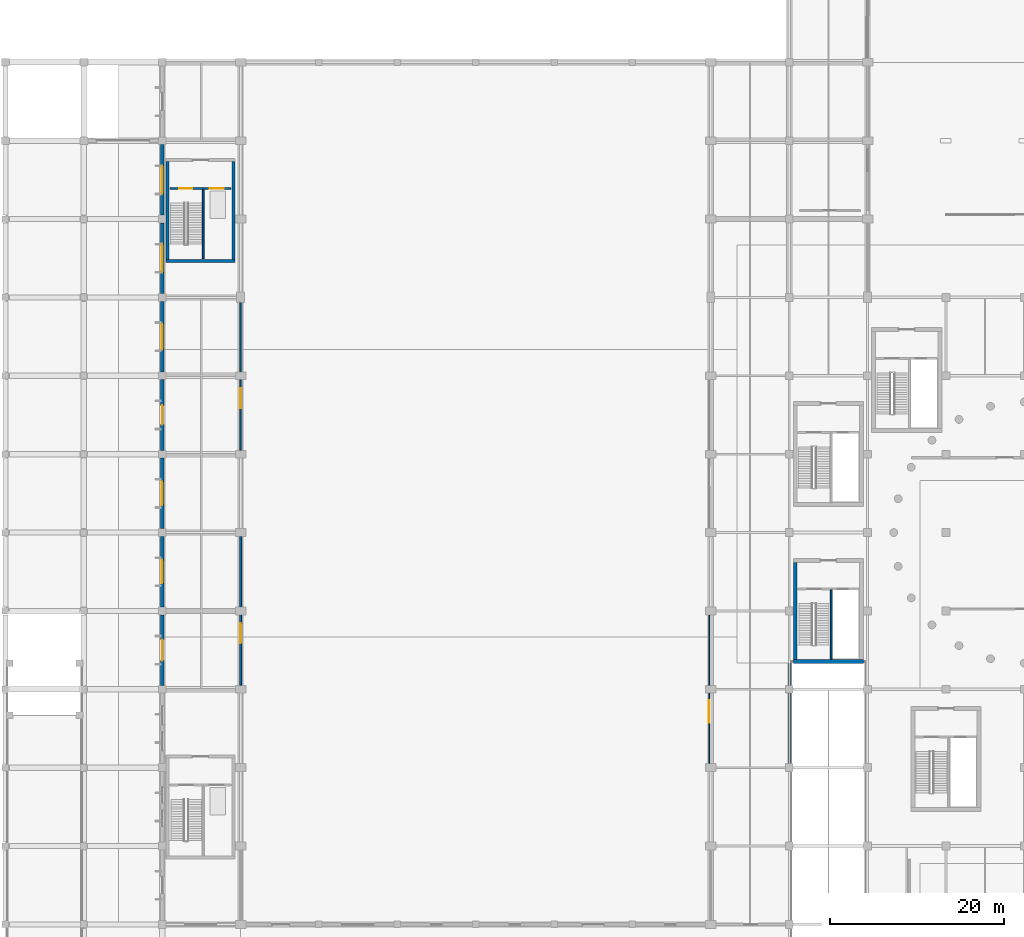
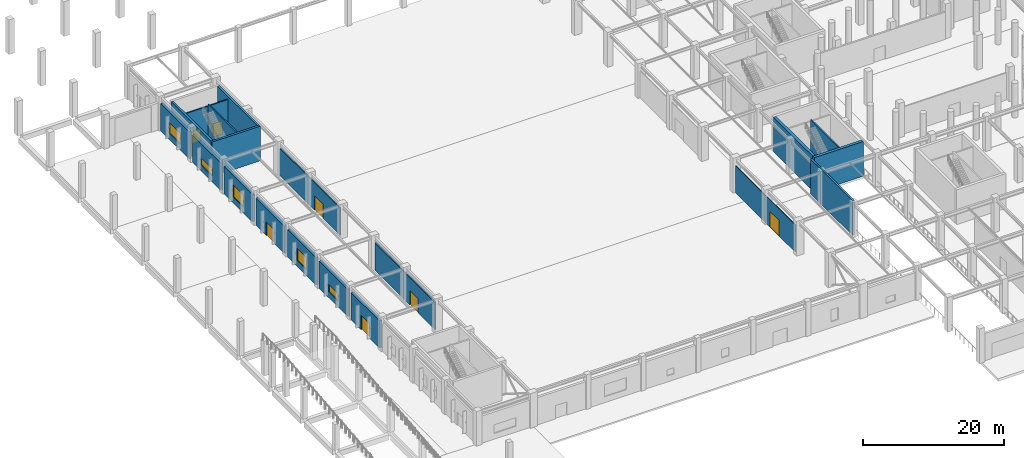
# One storey, part 62 of 91: 19 walls, 7 doors, 5 windows, 12 openings.
"""IFC4 building model written with IfcOpenShell, lengths in metres."""

import ifcopenshell
import ifcopenshell.guid

model = None  # the IFC model being written
_history = None  # IfcOwnerHistory: only IFC2X3 demands one
_inside = {}  # id of a spatial element -> (the spatial element, [elements in it])
_under = {}  # id of a project, library or spatial element -> (it, [spatial elements below it])
_declared = {}  # id of a project -> (the project, [libraries it declares])
_typed = {}  # id of a type object -> (the type object, [elements of that type])
_made_of = {}  # id of a material, layer set ... -> (it, [elements and type objects made of it])


def new_model(schema):
    """Start an empty IFC model of exactly this schema.

    Asked for "IFC4X3", IfcOpenShell would pick the latest addendum, in which some entities
    have other attributes; the version numbers below select the first issue.
    IFC2X3 requires an IfcOwnerHistory on every rooted entity: one is made here for all.
    """
    global model, _history
    if schema == "IFC4X3":
        model = ifcopenshell.file(schema_version=(4, 3, 0, 0))
    else:
        model = ifcopenshell.file(schema=schema)
    _inside.clear()
    _under.clear()
    _declared.clear()
    _typed.clear()
    _made_of.clear()
    _history = None
    if model.schema == "IFC2X3":
        org = make("IfcOrganization", Name="unknown")
        user = make(
            "IfcPersonAndOrganization",
            ThePerson=make("IfcPerson", FamilyName="unknown"),
            TheOrganization=org,
        )
        app = make(
            "IfcApplication",
            ApplicationDeveloper=org,
            Version="unknown",
            ApplicationFullName="unknown",
            ApplicationIdentifier="unknown",
        )
        _history = make(
            "IfcOwnerHistory",
            OwningUser=user,
            OwningApplication=app,
            ChangeAction="ADDED",
            CreationDate=0,
        )
    return model


def make(cls, **values):
    """One entity of the class cls with the attributes given. An attribute that is None is left unset."""
    return model.create_entity(
        cls, **{name: value for name, value in values.items() if value is not None}
    )


def rooted(cls, **values):
    """An entity with a GlobalId (a new one), such as an element, a storey or a relation."""
    return make(cls, GlobalId=ifcopenshell.guid.new(), OwnerHistory=_history, **values)


def si_unit(unit_type, name, prefix=None):
    """IfcSIUnit, for example si_unit("LENGTHUNIT", "METRE", prefix="MILLI")."""
    return make("IfcSIUnit", UnitType=unit_type, Prefix=prefix, Name=name)


def assignment(units):
    """IfcUnitAssignment: the units of a project."""
    return None if units is None else make("IfcUnitAssignment", Units=units)


def point(xyz):
    """IfcCartesianPoint."""
    return None if xyz is None else make("IfcCartesianPoint", Coordinates=xyz)


def direction(xyz):
    """IfcDirection."""
    return None if xyz is None else make("IfcDirection", DirectionRatios=xyz)


def frame(location, z_axis=None, x_axis=None):
    """IfcAxis2Placement3D, a coordinate frame: its origin and axes. An axis left out is left unset."""
    return make(
        "IfcAxis2Placement3D",
        Location=point(location),
        Axis=direction(z_axis),
        RefDirection=direction(x_axis),
    )


def frame_2d(location, x_axis=None):
    """IfcAxis2Placement2D, a coordinate frame in the plane: its origin and x axis."""
    return make(
        "IfcAxis2Placement2D", Location=point(location), RefDirection=direction(x_axis)
    )


def origin():
    """The frame at (0, 0, 0) with its axes left unset."""
    return frame((0.0, 0.0, 0.0))


def place(relative_to, where):
    """IfcLocalPlacement: puts the frame where relative to a parent placement (None: the world)."""
    return make(
        "IfcLocalPlacement", PlacementRelTo=relative_to, RelativePlacement=where
    )


def context(
    kind, dimensions, precision=None, world=None, true_north=None, identifier=None
):
    """IfcGeometricRepresentationContext, for example the 3D "Model" context."""
    return make(
        "IfcGeometricRepresentationContext",
        ContextIdentifier=identifier,
        ContextType=kind,
        CoordinateSpaceDimension=dimensions,
        Precision=precision,
        WorldCoordinateSystem=world,
        TrueNorth=true_north,
    )


def subcontext(parent, identifier, kind, view, scale=None):
    """IfcGeometricRepresentationSubContext, for example "Body" below "Model"."""
    return make(
        "IfcGeometricRepresentationSubContext",
        ContextIdentifier=identifier,
        ContextType=kind,
        ParentContext=parent,
        TargetScale=scale,
        TargetView=view,
    )


def project(units=None, contexts=None):
    """IfcProject with its units and contexts."""
    return rooted(
        "IfcProject",
        Name="project",
        RepresentationContexts=contexts,
        UnitsInContext=assignment(units),
    )


def spatial(cls, under=None, at=None, **own):
    """A site, building, storey or space (cls), placed at a placement, below another one or the project."""
    s = rooted(cls, ObjectPlacement=at, **own)
    if under is not None:
        _under.setdefault(under.id(), (under, []))[1].append(s)
    return s


def profile(cls, at=None, kind="AREA", **sizes):
    """A parametric profile (cls). Its sizes go by their IFC names, for example OverallWidth=200.0."""
    return make(cls, ProfileType=kind, Position=at, **sizes)


def rectangle(**sizes):
    """IfcRectangleProfileDef."""
    return profile("IfcRectangleProfileDef", **sizes)


def extrude(swept, where, along, depth):
    """IfcExtrudedAreaSolid: the profile swept, set in the frame where, extruded along a direction by depth."""
    return make(
        "IfcExtrudedAreaSolid",
        SweptArea=swept,
        Position=where,
        ExtrudedDirection=direction(along),
        Depth=depth,
    )


def shape(context_of_items, identifier, shape_type, items):
    """IfcShapeRepresentation: the items that make up one representation, for example the "Body"."""
    return make(
        "IfcShapeRepresentation",
        ContextOfItems=context_of_items,
        RepresentationIdentifier=identifier,
        RepresentationType=shape_type,
        Items=items,
    )


def material(Name=None, Category=None):
    """IfcMaterial."""
    return make("IfcMaterial", Name=Name, Category=Category)


def layer(
    of_material, thickness, ventilated=None, Name=None, Category=None, Priority=None
):
    """IfcMaterialLayer: one layer of a wall or slab, of a material (None: an air gap)."""
    return make(
        "IfcMaterialLayer",
        Material=of_material,
        LayerThickness=thickness,
        IsVentilated=ventilated,
        Name=Name,
        Category=Category,
        Priority=Priority,
    )


def layer_set(layers, Name=None):
    """IfcMaterialLayerSet."""
    return make("IfcMaterialLayerSet", MaterialLayers=layers, LayerSetName=Name)


def made_of(thing, what):
    """Note that an element or type object is made of a material, layer set ...; save() writes the relation."""
    if what is not None:
        _made_of.setdefault(what.id(), (what, []))[1].append(thing)
    return thing


def type_object(cls, material=None, **own):
    """A type object (cls), such as IfcWallType, which elements share."""
    return made_of(rooted(cls, **own), material)


def element(
    cls,
    number,
    at=None,
    inside=None,
    cuts=None,
    type_object=None,
    material=None,
    context=None,
    identifier="Body",
    shape_type=None,
    held_by="IfcProductDefinitionShape",
    body=None,
    shapes=None,
    **own,
):
    """One element of the class cls, such as IfcWall. Its Tag is "e" and its number.

    at: its placement. inside: the storey or other place that contains it. cuts: it is an
    opening in that element (IfcRelVoidsElement). A single representation is given by context,
    identifier, shape_type and body (its items); several are given by shapes. held_by: the class
    of the entity that holds the representations. save() writes the other relations.
    """
    e = rooted(cls, Tag="e%d" % number, ObjectPlacement=at, **own)
    if body is not None:
        shapes = [shape(context, identifier, shape_type, body)]
    if shapes is not None:
        e.Representation = make(held_by, Representations=shapes)
    if inside is not None:
        _inside.setdefault(inside.id(), (inside, []))[1].append(e)
    if cuts is not None:
        rooted(
            "IfcRelVoidsElement", RelatingBuildingElement=cuts, RelatedOpeningElement=e
        )
    if type_object is not None:
        _typed.setdefault(type_object.id(), (type_object, []))[1].append(e)
    return made_of(e, material)


def fill(opening, filler):
    """IfcRelFillsElement: the door or window that sits in an opening."""
    return rooted(
        "IfcRelFillsElement",
        RelatingOpeningElement=opening,
        RelatedBuildingElement=filler,
    )


def aggregate(whole, parts):
    """IfcRelAggregates: a whole, such as a stair, and the parts it consists of."""
    return rooted("IfcRelAggregates", RelatingObject=whole, RelatedObjects=parts)


def save(model, path):
    """Write the relations noted so far, then the file.

    IfcRelAggregates (storeys below a building ...), IfcRelContainedInSpatialStructure (elements
    in a storey), IfcRelDefinesByType, IfcRelAssociatesMaterial and IfcRelDeclares: one each for
    every whole, place, type object, material and project.
    """
    for whole, parts in _under.values():
        aggregate(whole, parts)
    for where, things in _inside.values():
        rooted(
            "IfcRelContainedInSpatialStructure",
            RelatedElements=things,
            RelatingStructure=where,
        )
    for kind, things in _typed.values():
        rooted("IfcRelDefinesByType", RelatedObjects=things, RelatingType=kind)
    for what, things in _made_of.values():
        rooted("IfcRelAssociatesMaterial", RelatedObjects=things, RelatingMaterial=what)
    for by, libraries in _declared.values():
        rooted("IfcRelDeclares", RelatingContext=by, RelatedDefinitions=libraries)
    model.write(path)


model = new_model("IFC4")

# Units and contexts
model_context = context("Model", 3, precision=1e-05, world=origin(), true_north=direction((0.0, 1.0)))
body_context = subcontext(model_context, "Body", "Model", "MODEL_VIEW")
ifc_project = project(units=[si_unit("LENGTHUNIT", "METRE"), si_unit("AREAUNIT", "SQUARE_METRE"), si_unit("VOLUMEUNIT", "CUBIC_METRE"), si_unit("PLANEANGLEUNIT", "RADIAN"), si_unit("MASSUNIT", "GRAM", prefix="KILO")], contexts=[model_context])

# Site, building, storey
site_placement = place(None, origin())
site = spatial("IfcSite", under=ifc_project, at=site_placement, CompositionType="ELEMENT")
building_placement = place(site_placement, origin())
building = spatial("IfcBuilding", under=site, at=building_placement, Name="Dornveld Trade and Exhibition Forum", CompositionType="ELEMENT")
storey_placement = place(building_placement, origin())
storey = spatial("IfcBuildingStorey", under=building, at=storey_placement, Name="L00", CompositionType="ELEMENT", Elevation=0.0)

# Walls
ifc_material_1 = material(Name="Concrete C40/50", Category="concrete")
ifc_layer_1 = layer(ifc_material_1, 0.35009765625)
ifc_layer_set_1 = layer_set([ifc_layer_1], Name="Concrete C40/50")
wall_type_1 = type_object("IfcWallType", Name="WL-CORE-350", PredefinedType="SHEAR", material=ifc_layer_set_1)
wall_1_placement = place(storey_placement, frame((18.425048828125, 112.199951171875, 0.0), z_axis=(0.0, 0.0, 1.0), x_axis=(1.0, 0.0, 0.0)))
element("IfcWall", 1, at=wall_1_placement, inside=storey, type_object=wall_type_1, Name="CORE-10 L00 shear wall S", PredefinedType="SHEAR", context=body_context, shape_type="SweptSolid", body=[
    extrude(rectangle(XDim=7.949951171875, YDim=0.35009765625, at=frame_2d((3.97509765625, 0.0))), origin(), (0.0, 0.0, 1.0), 6.0),
])
for number, where, z_axis, x_axis, name in (
    (2, (18.60009765625, 112.375, 0.0), (0.0, 0.0, 1.0), (0.0, 1.0, 0.0), "CORE-10 L00 shear wall W"),
    (3, (26.199951171875, 112.375, 0.0), (0.0, 0.0, 1.0), (0.0, 1.0, 0.0), "CORE-10 L00 shear wall E"),
):
    element("IfcWall", number, at=place(storey_placement, frame(where, z_axis=z_axis, x_axis=x_axis)), inside=storey, type_object=wall_type_1, Name=name, PredefinedType="SHEAR", context=body_context, shape_type="SweptSolid", body=[
        extrude(rectangle(XDim=11.25, YDim=0.35009765625, at=frame_2d((5.625, 0.0))), origin(), (0.0, 0.0, 1.0), 6.0),
    ])
ifc_material_2 = material(Name="Concrete C40/50", Category="concrete")
ifc_layer_2 = layer(ifc_material_2, 0.449951171875)
ifc_layer_set_2 = layer_set([ifc_layer_2], Name="Concrete C40/50")
wall_type_2 = type_object("IfcWallType", Name="WL-CORE-450", PredefinedType="SHEAR", material=ifc_layer_set_2)
wall_2_placement = place(storey_placement, frame((90.47509765625, 66.199951171875, 0.0), z_axis=(0.0, 0.0, 1.0), x_axis=(1.0, 0.0, 0.0)))
element("IfcWall", 4, at=wall_2_placement, inside=storey, type_object=wall_type_2, Name="CORE-05 L00 shear wall S", PredefinedType="SHEAR", context=body_context, shape_type="SweptSolid", body=[
    extrude(rectangle(XDim=8.0498046875, YDim=0.449951171875, at=frame_2d((4.02490234375, 0.0))), origin(), (0.0, 0.0, 1.0), 6.0),
])
wall_3_placement = place(storey_placement, frame((90.699951171875, 66.425048828125, 0.0), z_axis=(0.0, 0.0, 1.0), x_axis=(0.0, 1.0, 0.0)))
element("IfcWall", 5, at=wall_3_placement, inside=storey, type_object=wall_type_2, Name="CORE-05 L00 shear wall W", PredefinedType="SHEAR", context=body_context, shape_type="SweptSolid", body=[
    extrude(rectangle(XDim=11.14990234375, YDim=0.449951171875, at=frame_2d((5.574951171875, 0.0))), origin(), (0.0, 0.0, 1.0), 6.0),
])
ifc_material_3 = material(Name="Concrete C40/50", Category="concrete")
ifc_layer_3 = layer(ifc_material_3, 0.300048828125)
ifc_layer_set_3 = layer_set([ifc_layer_3], Name="Concrete C40/50")
wall_type_3 = type_object("IfcWallType", Name="WL-DIV-300", PredefinedType="SHEAR", material=ifc_layer_set_3)
wall_4_placement = place(storey_placement, frame((90.0, 54.0, 0.0), z_axis=(0.0, 0.0, 1.0), x_axis=(0.0, 1.0, 0.0)))
element("IfcWall", 6, at=wall_4_placement, inside=storey, type_object=wall_type_3, Name="L00 fire division shear wall 4", PredefinedType="SHEAR", context=body_context, shape_type="SweptSolid", body=[
    extrude(rectangle(XDim=12.0, YDim=0.300048828125, at=frame_2d((6.0, 0.0))), origin(), (0.0, 0.0, 1.0), 6.0),
])

# Wall, opening, door
ifc_material_4 = material(Name="Precast concrete C50/60", Category="concrete")
ifc_layer_4 = layer(ifc_material_4, 0.3798828125)
ifc_layer_set_4 = layer_set([ifc_layer_4], Name="Precast concrete C50/60")
wall_type_4 = type_object("IfcWallType", Name="WL-EXT-PC380", PredefinedType="SOLIDWALL", material=ifc_layer_set_4)
wall_5_placement = place(storey_placement, frame((18.0, 71.550537109375, 0.0), z_axis=(0.0, 0.0, 1.0), x_axis=(0.0, -1.0, 0.0)))
wall_5 = element("IfcWall", 7, at=wall_5_placement, inside=storey, type_object=wall_type_4, Name="L00 precast facade wall 48", PredefinedType="SOLIDWALL", context=body_context, shape_type="SweptSolid", body=[
    extrude(rectangle(XDim=8.10107421875, YDim=0.3798828125, at=frame_2d((4.050537109375, 0.0))), origin(), (0.0, 0.0, 1.0), 4.719970703125),
])
opening_1_placement = place(wall_5_placement, frame((2.8505859375, 0.0, 0.0)))
opening_1 = element("IfcOpeningElement", 8, at=opening_1_placement, cuts=wall_5, Name="Opening ED-17", PredefinedType="OPENING", context=body_context, shape_type="SweptSolid", body=[
    extrude(rectangle(XDim=2.39990234375, YDim=2.5, at=frame_2d((1.199951171875, 1.25))), frame((0.0, 0.199951171875, 0.0), z_axis=(0.0, -1.0, 0.0), x_axis=(1.0, 0.0, 0.0)), (0.0, 0.0, 1.0), 0.39990234375),
])
ifc_material_5 = material(Name="Dark-bronze anodised aluminium and laminated safety glass", Category="aluminium")
door_type_1 = type_object("IfcDoorType", Name="DR-EXT-240x250", OperationType="NOTDEFINED", PredefinedType="DOOR", material=ifc_material_5)
door_1_placement = place(opening_1_placement, frame((2.39990234375, 0.0, 0.0), z_axis=(0.0, 0.0, 1.0), x_axis=(-1.0, 0.0, 0.0)))
door_1 = element("IfcDoor", 9, at=door_1_placement, inside=storey, type_object=door_type_1, Name="Ground final exit double door 17", OperationType="DOUBLE_DOOR_SINGLE_SWING", OverallHeight=2.5, OverallWidth=2.39990234375, PredefinedType="DOOR", context=body_context, shape_type="SweptSolid", body=[
    extrude(rectangle(XDim=2.39990234375, YDim=2.5, at=frame_2d((1.199951171875, 1.25))), frame((0.0, 0.02490234375, 0.0), z_axis=(0.0, -1.0, 0.0), x_axis=(1.0, 0.0, 0.0)), (0.0, 0.0, 1.0), 0.050048828125),
])
fill(opening_1, door_1)

# Wall, opening, window
wall_6_placement = place(storey_placement, frame((18.0, 80.550537109375, 0.0), z_axis=(0.0, 0.0, 1.0), x_axis=(0.0, -1.0, 0.0)))
wall_6 = element("IfcWall", 10, at=wall_6_placement, inside=storey, type_object=wall_type_4, Name="L00 precast facade wall 52", PredefinedType="SOLIDWALL", context=body_context, shape_type="SweptSolid", body=[
    extrude(rectangle(XDim=8.10107421875, YDim=0.3798828125, at=frame_2d((4.050537109375, 0.0))), origin(), (0.0, 0.0, 1.0), 4.719970703125),
])
opening_2_placement = place(wall_6_placement, frame((2.700439453125, 0.0, 1.0)))
opening_2 = element("IfcOpeningElement", 11, at=opening_2_placement, cuts=wall_6, Name="Opening W-37", PredefinedType="OPENING", context=body_context, shape_type="SweptSolid", body=[
    extrude(rectangle(XDim=2.699951171875, YDim=1.300048828125, at=frame_2d((1.35009765625, 0.64990234375))), frame((0.0, 0.199951171875, 0.0), z_axis=(0.0, -1.0, 0.0), x_axis=(1.0, 0.0, 0.0)), (0.0, 0.0, 1.0), 0.39990234375),
])
ifc_material_6 = material(Name="Dark-bronze anodised aluminium and low-E glass", Category="aluminium")
window_type_1 = type_object("IfcWindowType", Name="WIN-AL-37", PartitioningType="DOUBLE_PANEL_VERTICAL", PredefinedType="WINDOW", material=ifc_material_6)
window_1_placement = place(opening_2_placement, origin())
window_1 = element("IfcWindow", 12, at=window_1_placement, inside=storey, type_object=window_type_1, Name="L00 facade window 37", OverallHeight=1.300048828125, OverallWidth=2.699951171875, PartitioningType="SINGLE_PANEL", PredefinedType="WINDOW", context=body_context, shape_type="SweptSolid", body=[
    extrude(rectangle(XDim=2.699951171875, YDim=1.300048828125, at=frame_2d((1.35009765625, 0.64990234375))), frame((0.0, 0.030029296875, 0.0), z_axis=(0.0, -1.0, 0.0), x_axis=(1.0, 0.0, 0.0)), (0.0, 0.0, 1.0), 0.06005859375),
])
fill(opening_2, window_1)

wall_7_placement = place(storey_placement, frame((18.0, 89.550537109375, 0.0), z_axis=(0.0, 0.0, 1.0), x_axis=(0.0, -1.0, 0.0)))
wall_7 = element("IfcWall", 13, at=wall_7_placement, inside=storey, type_object=wall_type_4, Name="L00 precast facade wall 56", PredefinedType="SOLIDWALL", context=body_context, shape_type="SweptSolid", body=[
    extrude(rectangle(XDim=8.10107421875, YDim=0.3798828125, at=frame_2d((4.050537109375, 0.0))), origin(), (0.0, 0.0, 1.0), 4.719970703125),
])
opening_3_placement = place(wall_7_placement, frame((2.700439453125, 0.0, 1.0)))
opening_3 = element("IfcOpeningElement", 14, at=opening_3_placement, cuts=wall_7, Name="Opening W-41", PredefinedType="OPENING", context=body_context, shape_type="SweptSolid", body=[
    extrude(rectangle(XDim=2.699951171875, YDim=2.10009765625, at=frame_2d((1.35009765625, 1.050048828125))), frame((0.0, 0.199951171875, 0.0), z_axis=(0.0, -1.0, 0.0), x_axis=(1.0, 0.0, 0.0)), (0.0, 0.0, 1.0), 0.39990234375),
])
ifc_material_7 = material(Name="Dark-bronze anodised aluminium and low-E glass", Category="aluminium")
window_type_2 = type_object("IfcWindowType", Name="WIN-AL-41", PartitioningType="DOUBLE_PANEL_VERTICAL", PredefinedType="WINDOW", material=ifc_material_7)
window_2_placement = place(opening_3_placement, origin())
window_2 = element("IfcWindow", 15, at=window_2_placement, inside=storey, type_object=window_type_2, Name="L00 facade window 41", OverallHeight=2.10009765625, OverallWidth=2.699951171875, PartitioningType="SINGLE_PANEL", PredefinedType="WINDOW", context=body_context, shape_type="SweptSolid", body=[
    extrude(rectangle(XDim=2.699951171875, YDim=2.10009765625, at=frame_2d((1.35009765625, 1.050048828125))), frame((0.0, 0.030029296875, 0.0), z_axis=(0.0, -1.0, 0.0), x_axis=(1.0, 0.0, 0.0)), (0.0, 0.0, 1.0), 0.06005859375),
])
fill(opening_3, window_2)

# Wall, opening, door
wall_8_placement = place(storey_placement, frame((18.0, 98.550537109375, 0.0), z_axis=(0.0, 0.0, 1.0), x_axis=(0.0, -1.0, 0.0)))
wall_8 = element("IfcWall", 16, at=wall_8_placement, inside=storey, type_object=wall_type_4, Name="L00 precast facade wall 60", PredefinedType="SOLIDWALL", context=body_context, shape_type="SweptSolid", body=[
    extrude(rectangle(XDim=8.10107421875, YDim=0.3798828125, at=frame_2d((4.050537109375, 0.0))), origin(), (0.0, 0.0, 1.0), 4.719970703125),
])
opening_4_placement = place(wall_8_placement, frame((2.950439453125, 0.0, 0.0)))
opening_4 = element("IfcOpeningElement", 17, at=opening_4_placement, cuts=wall_8, Name="Opening ED-18", PredefinedType="OPENING", context=body_context, shape_type="SweptSolid", body=[
    extrude(rectangle(XDim=2.199951171875, YDim=2.39990234375, at=frame_2d((1.10009765625, 1.199951171875))), frame((0.0, 0.199951171875, 0.0), z_axis=(0.0, -1.0, 0.0), x_axis=(1.0, 0.0, 0.0)), (0.0, 0.0, 1.0), 0.39990234375),
])
ifc_material_8 = material(Name="Dark-bronze anodised aluminium and laminated safety glass", Category="aluminium")
door_type_2 = type_object("IfcDoorType", Name="DR-EXT-220x240", OperationType="NOTDEFINED", PredefinedType="DOOR", material=ifc_material_8)
door_2_placement = place(opening_4_placement, frame((2.199951171875, 0.0, 0.0), z_axis=(0.0, 0.0, 1.0), x_axis=(-1.0, 0.0, 0.0)))
door_2 = element("IfcDoor", 18, at=door_2_placement, inside=storey, type_object=door_type_2, Name="Ground final exit double door 18", OperationType="DOUBLE_DOOR_SINGLE_SWING", OverallHeight=2.39990234375, OverallWidth=2.199951171875, PredefinedType="DOOR", context=body_context, shape_type="SweptSolid", body=[
    extrude(rectangle(XDim=2.199951171875, YDim=2.39990234375, at=frame_2d((1.10009765625, 1.199951171875))), frame((0.0, 0.02490234375, 0.0), z_axis=(0.0, -1.0, 0.0), x_axis=(1.0, 0.0, 0.0)), (0.0, 0.0, 1.0), 0.050048828125),
])
fill(opening_4, door_2)

# Wall, opening, window
wall_9_placement = place(storey_placement, frame((18.0, 107.550537109375, 0.0), z_axis=(0.0, 0.0, 1.0), x_axis=(0.0, -1.0, 0.0)))
wall_9 = element("IfcWall", 19, at=wall_9_placement, inside=storey, type_object=wall_type_4, Name="L00 precast facade wall 64", PredefinedType="SOLIDWALL", context=body_context, shape_type="SweptSolid", body=[
    extrude(rectangle(XDim=8.10107421875, YDim=0.3798828125, at=frame_2d((4.050537109375, 0.0))), origin(), (0.0, 0.0, 1.0), 4.719970703125),
])
opening_5_placement = place(wall_9_placement, frame((2.550537109375, 0.0, 1.0)))
opening_5 = element("IfcOpeningElement", 20, at=opening_5_placement, cuts=wall_9, Name="Opening W-48", PredefinedType="OPENING", context=body_context, shape_type="SweptSolid", body=[
    extrude(rectangle(XDim=3.0, YDim=2.10009765625, at=frame_2d((1.5, 1.050048828125))), frame((0.0, 0.199951171875, 0.0), z_axis=(0.0, -1.0, 0.0), x_axis=(1.0, 0.0, 0.0)), (0.0, 0.0, 1.0), 0.39990234375),
])
ifc_material_9 = material(Name="Dark-bronze anodised aluminium and low-E glass", Category="aluminium")
window_type_3 = type_object("IfcWindowType", Name="WIN-AL-48", PartitioningType="DOUBLE_PANEL_VERTICAL", PredefinedType="WINDOW", material=ifc_material_9)
window_3_placement = place(opening_5_placement, origin())
window_3 = element("IfcWindow", 21, at=window_3_placement, inside=storey, type_object=window_type_3, Name="L00 facade window 48", OverallHeight=2.10009765625, OverallWidth=3.0, PartitioningType="SINGLE_PANEL", PredefinedType="WINDOW", context=body_context, shape_type="SweptSolid", body=[
    extrude(rectangle(XDim=3.0, YDim=2.10009765625, at=frame_2d((1.5, 1.050048828125))), frame((0.0, 0.030029296875, 0.0), z_axis=(0.0, -1.0, 0.0), x_axis=(1.0, 0.0, 0.0)), (0.0, 0.0, 1.0), 0.06005859375),
])
fill(opening_5, window_3)

wall_10_placement = place(storey_placement, frame((18.0, 116.550537109375, 0.0), z_axis=(0.0, 0.0, 1.0), x_axis=(0.0, -1.0, 0.0)))
wall_10 = element("IfcWall", 22, at=wall_10_placement, inside=storey, type_object=wall_type_4, Name="L00 precast facade wall 68", PredefinedType="SOLIDWALL", context=body_context, shape_type="SweptSolid", body=[
    extrude(rectangle(XDim=8.10107421875, YDim=0.3798828125, at=frame_2d((4.050537109375, 0.0))), origin(), (0.0, 0.0, 1.0), 4.719970703125),
])
opening_6_placement = place(wall_10_placement, frame((2.400390625, 0.0, 1.0)))
opening_6 = element("IfcOpeningElement", 23, at=opening_6_placement, cuts=wall_10, Name="Opening W-51", PredefinedType="OPENING", context=body_context, shape_type="SweptSolid", body=[
    extrude(rectangle(XDim=3.300048828125, YDim=1.300048828125, at=frame_2d((1.64990234375, 0.64990234375))), frame((0.0, 0.199951171875, 0.0), z_axis=(0.0, -1.0, 0.0), x_axis=(1.0, 0.0, 0.0)), (0.0, 0.0, 1.0), 0.39990234375),
])
ifc_material_10 = material(Name="Dark-bronze anodised aluminium and low-E glass", Category="aluminium")
window_type_4 = type_object("IfcWindowType", Name="WIN-AL-51", PartitioningType="DOUBLE_PANEL_VERTICAL", PredefinedType="WINDOW", material=ifc_material_10)
window_4_placement = place(opening_6_placement, origin())
window_4 = element("IfcWindow", 24, at=window_4_placement, inside=storey, type_object=window_type_4, Name="L00 facade window 51", OverallHeight=1.300048828125, OverallWidth=3.300048828125, PartitioningType="SINGLE_PANEL", PredefinedType="WINDOW", context=body_context, shape_type="SweptSolid", body=[
    extrude(rectangle(XDim=3.300048828125, YDim=1.300048828125, at=frame_2d((1.64990234375, 0.64990234375))), frame((0.0, 0.030029296875, 0.0), z_axis=(0.0, -1.0, 0.0), x_axis=(1.0, 0.0, 0.0)), (0.0, 0.0, 1.0), 0.06005859375),
])
fill(opening_6, window_4)

wall_11_placement = place(storey_placement, frame((18.0, 125.550537109375, 0.0), z_axis=(0.0, 0.0, 1.0), x_axis=(0.0, -1.0, 0.0)))
wall_11 = element("IfcWall", 25, at=wall_11_placement, inside=storey, type_object=wall_type_4, Name="L00 precast facade wall 72", PredefinedType="SOLIDWALL", context=body_context, shape_type="SweptSolid", body=[
    extrude(rectangle(XDim=8.10107421875, YDim=0.3798828125, at=frame_2d((4.050537109375, 0.0))), origin(), (0.0, 0.0, 1.0), 4.719970703125),
])
opening_7_placement = place(wall_11_placement, frame((2.400390625, 0.0, 1.0)))
opening_7 = element("IfcOpeningElement", 26, at=opening_7_placement, cuts=wall_11, Name="Opening W-54", PredefinedType="OPENING", context=body_context, shape_type="SweptSolid", body=[
    extrude(rectangle(XDim=3.300048828125, YDim=1.89990234375, at=frame_2d((1.64990234375, 0.949951171875))), frame((0.0, 0.199951171875, 0.0), z_axis=(0.0, -1.0, 0.0), x_axis=(1.0, 0.0, 0.0)), (0.0, 0.0, 1.0), 0.39990234375),
])
ifc_material_11 = material(Name="Dark-bronze anodised aluminium and low-E glass", Category="aluminium")
window_type_5 = type_object("IfcWindowType", Name="WIN-AL-54", PartitioningType="DOUBLE_PANEL_VERTICAL", PredefinedType="WINDOW", material=ifc_material_11)
window_5_placement = place(opening_7_placement, origin())
window_5 = element("IfcWindow", 27, at=window_5_placement, inside=storey, type_object=window_type_5, Name="L00 facade window 54", OverallHeight=1.89990234375, OverallWidth=3.300048828125, PartitioningType="SINGLE_PANEL", PredefinedType="WINDOW", context=body_context, shape_type="SweptSolid", body=[
    extrude(rectangle(XDim=3.300048828125, YDim=1.89990234375, at=frame_2d((1.64990234375, 0.949951171875))), frame((0.0, 0.030029296875, 0.0), z_axis=(0.0, -1.0, 0.0), x_axis=(1.0, 0.0, 0.0)), (0.0, 0.0, 1.0), 0.06005859375),
])
fill(opening_7, window_5)

# Wall, opening, door
ifc_material_12 = material(Name="Acoustic twin-stud gypsum and mineral wool", Category="gypsum")
ifc_layer_5 = layer(ifc_material_12, 0.215087890625)
ifc_layer_set_5 = layer_set([ifc_layer_5], Name="Acoustic twin-stud gypsum and mineral wool")
wall_type_5 = type_object("IfcWallType", Name="WL-INT-AC215", PredefinedType="PARTITIONING", material=ifc_layer_set_5)
wall_12_placement = place(storey_placement, frame((27.0, 63.47998046875, 0.0), z_axis=(0.0, 0.0, 1.0), x_axis=(0.0, 1.0, 0.0)))
wall_12 = element("IfcWall", 28, at=wall_12_placement, inside=storey, type_object=wall_type_5, Name="L00 interior partition 25", PredefinedType="PARTITIONING", context=body_context, shape_type="SweptSolid", body=[
    extrude(rectangle(XDim=17.0400390625, YDim=0.215087890625, at=frame_2d((8.52001953125, 0.0))), origin(), (0.0, 0.0, 1.0), 4.699951171875),
])
opening_8_placement = place(wall_12_placement, frame((4.81396484375, 0.0, 0.0)))
opening_8 = element("IfcOpeningElement", 29, at=opening_8_placement, cuts=wall_12, Name="Opening HD-03-015", PredefinedType="OPENING", context=body_context, shape_type="SweptSolid", body=[
    extrude(rectangle(XDim=2.300048828125, YDim=2.5, at=frame_2d((1.14990234375, 1.25))), frame((0.0, 0.117431640625, 0.0), z_axis=(0.0, -1.0, 0.0), x_axis=(1.0, 0.0, 0.0)), (0.0, 0.0, 1.0), 0.235107421875),
])
ifc_material_13 = material(Name="Acoustic steel exhibition double door", Category="steel")
door_type_3 = type_object("IfcDoorType", Name="DR-HALL-230x250", OperationType="NOTDEFINED", PredefinedType="DOOR", material=ifc_material_13)
door_3_placement = place(opening_8_placement, origin())
door_3 = element("IfcDoor", 30, at=door_3_placement, inside=storey, type_object=door_type_3, Name="L00 interior room door 15", OperationType="DOUBLE_DOOR_SINGLE_SWING", OverallHeight=2.5, OverallWidth=2.300048828125, PredefinedType="DOOR", context=body_context, shape_type="SweptSolid", body=[
    extrude(rectangle(XDim=2.300048828125, YDim=2.5, at=frame_2d((1.14990234375, 1.25))), frame((0.0, 0.02490234375, 0.0), z_axis=(0.0, -1.0, 0.0), x_axis=(1.0, 0.0, 0.0)), (0.0, 0.0, 1.0), 0.050048828125),
])
fill(opening_8, door_3)

ifc_material_14 = material(Name="Fire-rated steel-stud gypsum board", Category="steel")
ifc_layer_6 = layer(ifc_material_14, 0.18505859375)
ifc_layer_set_6 = layer_set([ifc_layer_6], Name="Fire-rated steel-stud gypsum board")
wall_type_6 = type_object("IfcWallType", Name="WL-INT-FR185", PredefinedType="PARTITIONING", material=ifc_layer_set_6)
wall_13_placement = place(storey_placement, frame((27.0, 90.47998046875, 0.0), z_axis=(0.0, 0.0, 1.0), x_axis=(0.0, 1.0, 0.0)))
wall_13 = element("IfcWall", 31, at=wall_13_placement, inside=storey, type_object=wall_type_6, Name="L00 interior partition 26", PredefinedType="PARTITIONING", context=body_context, shape_type="SweptSolid", body=[
    extrude(rectangle(XDim=17.0400390625, YDim=0.18505859375, at=frame_2d((8.52001953125, 0.0))), origin(), (0.0, 0.0, 1.0), 4.699951171875),
])
opening_9_placement = place(wall_13_placement, frame((4.81396484375, 0.0, 0.0)))
opening_9 = element("IfcOpeningElement", 32, at=opening_9_placement, cuts=wall_13, Name="Opening HD-03-016", PredefinedType="OPENING", context=body_context, shape_type="SweptSolid", body=[
    extrude(rectangle(XDim=2.300048828125, YDim=2.5, at=frame_2d((1.14990234375, 1.25))), frame((0.0, 0.1025390625, 0.0), z_axis=(0.0, -1.0, 0.0), x_axis=(1.0, 0.0, 0.0)), (0.0, 0.0, 1.0), 0.205078125),
])
door_4_placement = place(opening_9_placement, origin())
door_4 = element("IfcDoor", 33, at=door_4_placement, inside=storey, type_object=door_type_3, Name="L00 interior room door 16", OperationType="DOUBLE_DOOR_SINGLE_SWING", OverallHeight=2.5, OverallWidth=2.300048828125, PredefinedType="DOOR", context=body_context, shape_type="SweptSolid", body=[
    extrude(rectangle(XDim=2.300048828125, YDim=2.5, at=frame_2d((1.14990234375, 1.25))), frame((0.0, 0.02490234375, 0.0), z_axis=(0.0, -1.0, 0.0), x_axis=(1.0, 0.0, 0.0)), (0.0, 0.0, 1.0), 0.050048828125),
])
fill(opening_9, door_4)

# Wall, openings, doors
ifc_material_15 = material(Name="Concrete C40/50", Category="concrete")
ifc_layer_7 = layer(ifc_material_15, 0.219970703125)
ifc_layer_set_7 = layer_set([ifc_layer_7], Name="Concrete C40/50")
wall_type_7 = type_object("IfcWallType", Name="WL-INT-LOB220", PredefinedType="SOLIDWALL", material=ifc_layer_set_7)
wall_14_placement = place(storey_placement, frame((18.89990234375, 120.5, 0.0), z_axis=(0.0, 0.0, 1.0), x_axis=(1.0, 0.0, 0.0)))
wall_14 = element("IfcWall", 34, at=wall_14_placement, inside=storey, type_object=wall_type_7, Name="CORE-10 L00 protected lobby bulkhead wall", PredefinedType="SOLIDWALL", context=body_context, shape_type="SweptSolid", body=[
    extrude(rectangle(XDim=7.0, YDim=0.219970703125, at=frame_2d((3.5, 0.0))), origin(), (0.0, 0.0, 1.0), 5.679931640625),
])
opening_10_placement = place(wall_14_placement, frame((1.050048828125, 0.0, 0.0)))
opening_10 = element("IfcOpeningElement", 35, at=opening_10_placement, cuts=wall_14, Name="Opening SD-10-L00", PredefinedType="OPENING", context=body_context, shape_type="SweptSolid", body=[
    extrude(rectangle(XDim=1.5, YDim=2.199951171875, at=frame_2d((0.75, 1.10009765625))), frame((0.0, 0.119873046875, 0.0), z_axis=(0.0, -1.0, 0.0), x_axis=(1.0, 0.0, 0.0)), (0.0, 0.0, 1.0), 0.239990234375),
])
opening_11_placement = place(wall_14_placement, frame((4.550048828125, 0.0, 0.0)))
opening_11 = element("IfcOpeningElement", 36, at=opening_11_placement, cuts=wall_14, Name="Opening LD-10-L00", PredefinedType="OPENING", context=body_context, shape_type="SweptSolid", body=[
    extrude(rectangle(XDim=1.60009765625, YDim=2.300048828125, at=frame_2d((0.800048828125, 1.14990234375))), frame((0.0, 0.119873046875, 0.0), z_axis=(0.0, -1.0, 0.0), x_axis=(1.0, 0.0, 0.0)), (0.0, 0.0, 1.0), 0.239990234375),
])
ifc_material_16 = material(Name="Heavy-duty steel sliding freight lift landing door", Category="steel")
door_type_4 = type_object("IfcDoorType", Name="DR-LIFT-160x230", OperationType="NOTDEFINED", PredefinedType="DOOR", material=ifc_material_16)
door_5_placement = place(opening_11_placement, origin())
door_5 = element("IfcDoor", 37, at=door_5_placement, inside=storey, type_object=door_type_4, Name="CORE-10 L00 lift sliding landing door", OperationType="SLIDING_TO_RIGHT", OverallHeight=2.300048828125, OverallWidth=1.60009765625, PredefinedType="DOOR", context=body_context, shape_type="SweptSolid", body=[
    extrude(rectangle(XDim=1.60009765625, YDim=2.300048828125, at=frame_2d((0.800048828125, 1.14990234375))), frame((0.0, 0.02490234375, 0.0), z_axis=(0.0, -1.0, 0.0), x_axis=(1.0, 0.0, 0.0)), (0.0, 0.0, 1.0), 0.050048828125),
])
fill(opening_11, door_5)
ifc_material_17 = material(Name="Steel fire-rated stair door assembly", Category="steel")
door_type_5 = type_object("IfcDoorType", Name="DR-STAIR-150x220", OperationType="NOTDEFINED", PredefinedType="DOOR", material=ifc_material_17)
door_6_placement = place(opening_10_placement, origin())
door_6 = element("IfcDoor", 38, at=door_6_placement, inside=storey, type_object=door_type_5, Name="CORE-10 L00 protected stair door", OperationType="SINGLE_SWING_RIGHT", OverallHeight=2.199951171875, OverallWidth=1.5, PredefinedType="DOOR", context=body_context, shape_type="SweptSolid", body=[
    extrude(rectangle(XDim=1.5, YDim=2.199951171875, at=frame_2d((0.75, 1.10009765625))), frame((0.0, 0.02490234375, 0.0), z_axis=(0.0, -1.0, 0.0), x_axis=(1.0, 0.0, 0.0)), (0.0, 0.0, 1.0), 0.050048828125),
])
fill(opening_10, door_6)

# Walls
ifc_material_18 = material(Name="Concrete C40/50", Category="concrete")
ifc_layer_8 = layer(ifc_material_18, 0.199951171875)
ifc_layer_set_8 = layer_set([ifc_layer_8], Name="Concrete C40/50")
wall_type_8 = type_object("IfcWallType", Name="WL-INT-SHAFT200", PredefinedType="SOLIDWALL", material=ifc_layer_set_8)
for number, where, z_axis, x_axis, name in (
    (39, (94.820068359375, 66.449951171875, 0.0), (0.0, 0.0, 1.0), (0.0, 1.0, 0.0), "CORE-05 L00 lift-stair structural shaft wall"),
    (40, (22.719970703125, 112.449951171875, 0.0), (0.0, 0.0, 1.0), (0.0, 1.0, 0.0), "CORE-10 L00 lift-stair structural shaft wall"),
):
    element("IfcWall", number, at=place(storey_placement, frame(where, z_axis=z_axis, x_axis=x_axis)), inside=storey, type_object=wall_type_8, Name=name, PredefinedType="SOLIDWALL", context=body_context, shape_type="SweptSolid", body=[
        extrude(rectangle(XDim=8.0, YDim=0.199951171875, at=frame_2d((4.0, 0.0))), origin(), (0.0, 0.0, 1.0), 6.0),
    ])

# Wall, opening, door
ifc_material_19 = material(Name="Moisture-resistant wet-room partition", Category="gypsum")
ifc_layer_9 = layer(ifc_material_19, 0.114990234375)
ifc_layer_set_9 = layer_set([ifc_layer_9], Name="Moisture-resistant wet-room partition")
wall_type_9 = type_object("IfcWallType", Name="WL-INT-WC115", PredefinedType="PARTITIONING", material=ifc_layer_set_9)
wall_15_placement = place(storey_placement, frame((80.800048828125, 54.47998046875, 0.0), z_axis=(0.0, 0.0, 1.0), x_axis=(0.0, 1.0, 0.0)))
wall_15 = element("IfcWall", 41, at=wall_15_placement, inside=storey, type_object=wall_type_9, Name="L00 interior partition 23", PredefinedType="PARTITIONING", context=body_context, shape_type="SweptSolid", body=[
    extrude(rectangle(XDim=17.0400390625, YDim=0.114990234375, at=frame_2d((8.52001953125, 0.0))), origin(), (0.0, 0.0, 1.0), 4.699951171875),
])
opening_12_placement = place(wall_15_placement, frame((4.6640625, 0.0, 0.0)))
opening_12 = element("IfcOpeningElement", 42, at=opening_12_placement, cuts=wall_15, Name="Opening HD-01-013", PredefinedType="OPENING", context=body_context, shape_type="SweptSolid", body=[
    extrude(rectangle(XDim=2.60009765625, YDim=2.699951171875, at=frame_2d((1.300048828125, 1.35009765625))), frame((0.0, 0.0673828125, 0.0), z_axis=(0.0, -1.0, 0.0), x_axis=(1.0, 0.0, 0.0)), (0.0, 0.0, 1.0), 0.135009765625),
])
ifc_material_20 = material(Name="Acoustic steel exhibition double door", Category="steel")
door_type_6 = type_object("IfcDoorType", Name="DR-HALL-260x270", OperationType="NOTDEFINED", PredefinedType="DOOR", material=ifc_material_20)
door_7_placement = place(opening_12_placement, origin())
door_7 = element("IfcDoor", 43, at=door_7_placement, inside=storey, type_object=door_type_6, Name="L00 interior room door 13", OperationType="DOUBLE_DOOR_SINGLE_SWING", OverallHeight=2.699951171875, OverallWidth=2.60009765625, PredefinedType="DOOR", context=body_context, shape_type="SweptSolid", body=[
    extrude(rectangle(XDim=2.60009765625, YDim=2.699951171875, at=frame_2d((1.300048828125, 1.35009765625))), frame((0.0, 0.02490234375, 0.0), z_axis=(0.0, -1.0, 0.0), x_axis=(1.0, 0.0, 0.0)), (0.0, 0.0, 1.0), 0.050048828125),
])
fill(opening_12, door_7)

save(model, "model.ifc")
